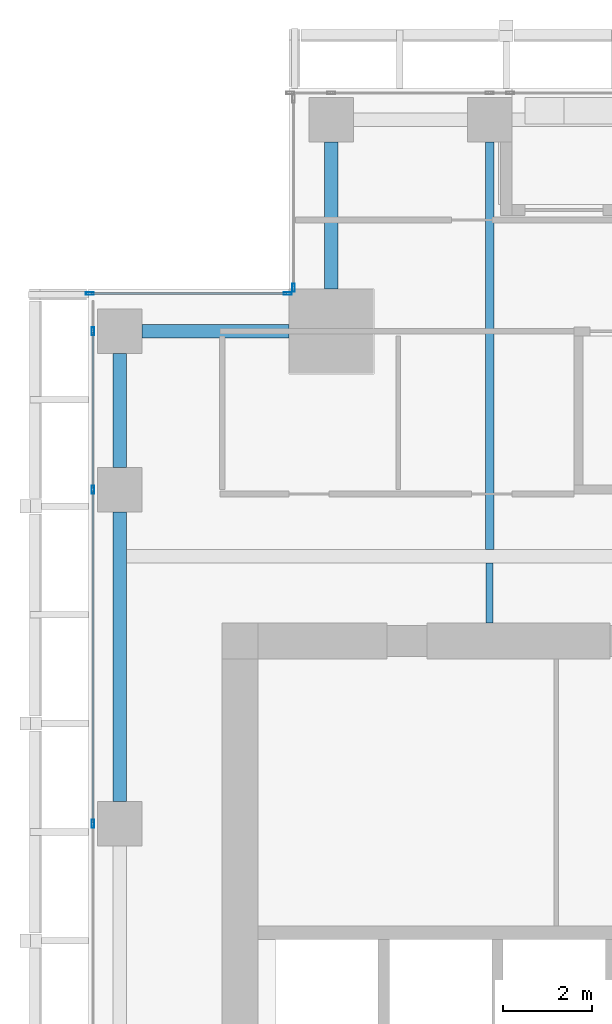
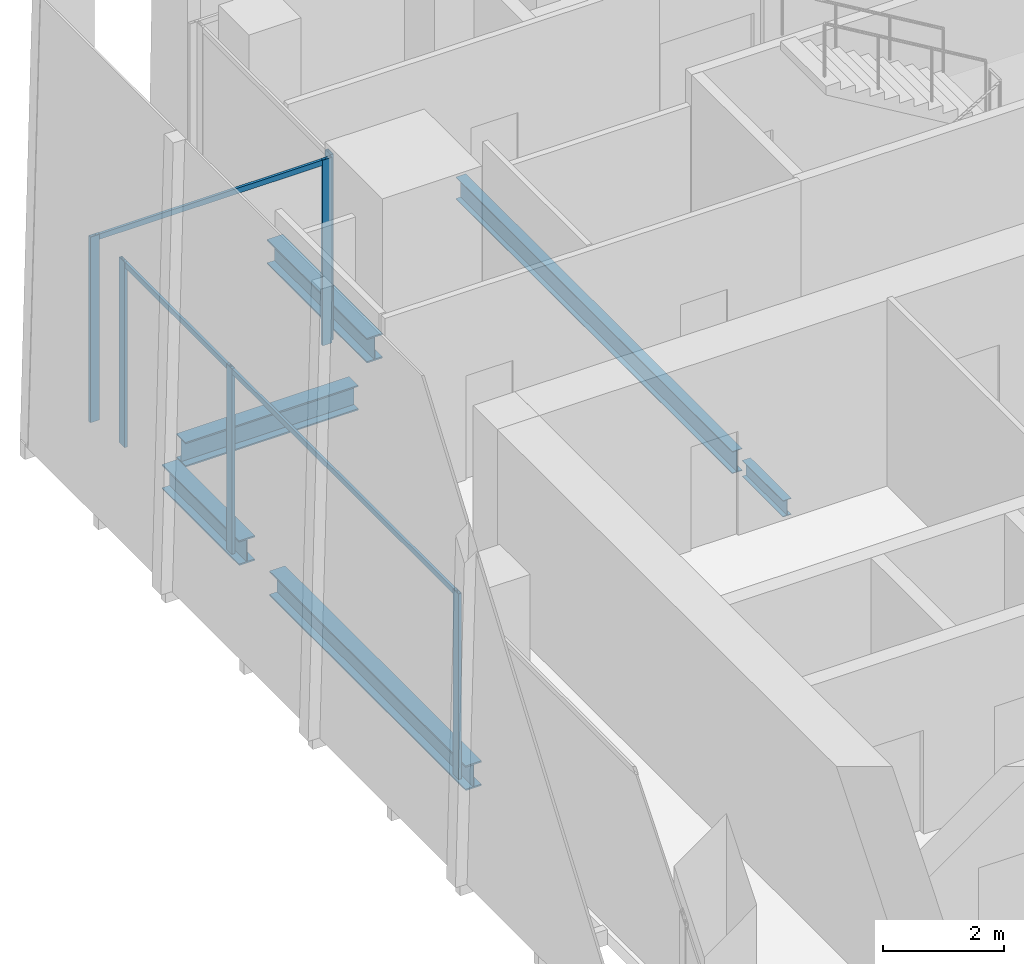
# One storey, part 14 of 35: 9 members, 6 beams, 3 elements without a shape of their own.
"""IFC4 building model written with IfcOpenShell, lengths in metres."""

from ifc_helpers import new_model, si_unit, direction, frame, origin, origin_2d, place, context, subcontext, project, spatial, hollow_rectangle, i_section, extrude, source, transform, mapped, material, material_profile, profile_set, type_object, element, aggregate, save


model = new_model("IFC4")

# Units and contexts
model_context = context("Model", 3, precision=1e-05, world=origin(), true_north=direction((0.0, 1.0)))
body_context = subcontext(model_context, "Body", "Model", "MODEL_VIEW")
ifc_project = project(units=[si_unit("LENGTHUNIT", "METRE"), si_unit("AREAUNIT", "SQUARE_METRE"), si_unit("VOLUMEUNIT", "CUBIC_METRE"), si_unit("PLANEANGLEUNIT", "RADIAN"), si_unit("MASSUNIT", "GRAM", prefix="KILO")], contexts=[model_context])

# Site, building, storey
site_placement = place(None, origin())
site = spatial("IfcSite", under=ifc_project, at=site_placement, CompositionType="ELEMENT")
building_placement = place(site_placement, origin())
building = spatial("IfcBuilding", under=site, at=building_placement, Name="Khomas Fold Tower", CompositionType="ELEMENT")
storey_placement = place(building_placement, frame((0.0, 0.0, 212.699951171875)))
storey = spatial("IfcBuildingStorey", under=building, at=storey_placement, Name="L47", CompositionType="ELEMENT", Elevation=212.699951171875)

# Beams
ifc_material_1 = material(Name="Steel S355", Category="steel")
ifc_material_profile_1 = material_profile(ifc_material_1, i_section(OverallWidth=0.300048828125, OverallDepth=0.5, WebThickness=0.014404296875, FlangeThickness=0.028076171875, at=origin_2d()), Name="HE 500 B")
ifc_profile_set_1 = profile_set([ifc_material_profile_1], Name="Steel S355")
beam_type_1 = type_object("IfcBeamType", Name="HE 500 B spandrel SB3", PredefinedType="SPANDREL", material=ifc_profile_set_1)
shared_shape_1 = source(origin(), body_context, "Body", "SweptSolid", [
    extrude(i_section(OverallWidth=0.300048828125, OverallDepth=0.5, WebThickness=0.014404296875, FlangeThickness=0.028076171875, at=origin_2d()), origin(), (0.0, 0.0, 1.0), 2.550048828125),
])
beam_1_placement = place(storey_placement, frame((3.699951171875, 42.5, -0.5), z_axis=(0.0, 1.0, 0.0), x_axis=(-1.0, 0.0, 0.0)))
element("IfcBeam", 1, at=beam_1_placement, inside=storey, type_object=beam_type_1, Name="SB3", PredefinedType="SPANDREL", context=body_context, shape_type="MappedRepresentation", body=[
    mapped(shared_shape_1, transform((0.0, 0.0, 0.0))),
])
shared_shape_2 = source(origin(), body_context, "Body", "SweptSolid", [
    extrude(i_section(OverallWidth=0.300048828125, OverallDepth=0.5, WebThickness=0.014404296875, FlangeThickness=0.028076171875, at=origin_2d()), origin(), (0.0, 0.0, 1.0), 6.5),
])
beam_2_placement = place(storey_placement, frame((3.699951171875, 35.0, -0.5), z_axis=(0.0, 1.0, 0.0), x_axis=(-1.0, 0.0, 0.0)))
element("IfcBeam", 2, at=beam_2_placement, inside=storey, type_object=beam_type_1, Name="SB3", PredefinedType="SPANDREL", context=body_context, shape_type="MappedRepresentation", body=[
    mapped(shared_shape_2, transform((0.0, 0.0, 0.0))),
])
shared_shape_3 = source(origin(), body_context, "Body", "SweptSolid", [
    extrude(i_section(OverallWidth=0.300048828125, OverallDepth=0.5, WebThickness=0.014404296875, FlangeThickness=0.028076171875, at=origin_2d()), origin(), (0.0, 0.0, 1.0), 3.300048828125),
])
for number, where, z_axis, x_axis, name in (
    (3, (8.449951171875, 46.5, -0.5), (0.0, 1.0, 0.0), (-1.0, 0.0, 0.0), "SB3"),
    (4, (4.199951171875, 45.550048828125, -0.5), (1.0, 0.0, 0.0), (0.0, 1.0, 0.0), "SB3"),
):
    element("IfcBeam", number, at=place(storey_placement, frame(where, z_axis=z_axis, x_axis=x_axis)), inside=storey, type_object=beam_type_1, Name=name, PredefinedType="SPANDREL", context=body_context, shape_type="MappedRepresentation", body=[
        mapped(shared_shape_3, transform((0.0, 0.0, 0.0))),
    ])
ifc_material_2 = material(Name="Steel S355", Category="steel")
ifc_material_profile_2 = material_profile(ifc_material_2, i_section(OverallWidth=0.18994140625, OverallDepth=0.449951171875, WebThickness=0.009521484375, FlangeThickness=0.0146484375, at=origin_2d()), Name="IPE 450")
ifc_profile_set_2 = profile_set([ifc_material_profile_2], Name="Steel S355")
beam_type_2 = type_object("IfcBeamType", Name="IPE 450 beam JB4", PredefinedType="BEAM", material=ifc_profile_set_2)
shared_shape_4 = source(origin(), body_context, "Body", "SweptSolid", [
    extrude(i_section(OverallWidth=0.18994140625, OverallDepth=0.449951171875, WebThickness=0.009521484375, FlangeThickness=0.0146484375, at=origin_2d()), origin(), (0.0, 0.0, 1.0), 9.150146484375),
])
beam_3_placement = place(storey_placement, frame((12.0, 40.64990234375, -0.474853515625), z_axis=(0.0, 1.0, 0.0), x_axis=(-1.0, 0.0, 0.0)))
element("IfcBeam", 5, at=beam_3_placement, inside=storey, type_object=beam_type_2, Name="JB4", PredefinedType="BEAM", context=body_context, shape_type="MappedRepresentation", body=[
    mapped(shared_shape_4, transform((0.0, 0.0, 0.0))),
])
ifc_material_3 = material(Name="Steel S355", Category="steel")
ifc_material_profile_3 = material_profile(ifc_material_3, i_section(OverallWidth=0.159912109375, OverallDepth=0.330078125, WebThickness=0.007568359375, FlangeThickness=0.011474609375, at=origin_2d()), Name="IPE 330")
ifc_profile_set_3 = profile_set([ifc_material_profile_3], Name="Steel S355")
beam_type_3 = type_object("IfcBeamType", Name="IPE 330 beam JB1", PredefinedType="BEAM", material=ifc_profile_set_3)
shared_shape_5 = source(origin(), body_context, "Body", "SweptSolid", [
    extrude(i_section(OverallWidth=0.159912109375, OverallDepth=0.330078125, WebThickness=0.007568359375, FlangeThickness=0.011474609375, at=origin_2d()), origin(), (0.0, 0.0, 1.0), 1.35009765625),
])
beam_4_placement = place(storey_placement, frame((12.0, 39.0, -0.4150390625), z_axis=(0.0, 1.0, 0.0), x_axis=(-1.0, 0.0, 0.0)))
element("IfcBeam", 6, at=beam_4_placement, inside=storey, type_object=beam_type_3, Name="JB1", PredefinedType="BEAM", context=body_context, shape_type="MappedRepresentation", body=[
    mapped(shared_shape_5, transform((0.0, 0.0, 0.0))),
])

# Curtain wall, member
ifc_material_4 = material(Name="Aluminium framed double glazing", Category="aluminium")
curtain_wall_type = type_object("IfcCurtainWallType", Name="SK-Unitised clear-glass wall, office floors CW2", PredefinedType="NOTDEFINED", material=ifc_material_4)
curtain_wall_1_placement = place(storey_placement, origin())
curtain_wall_1 = element("IfcCurtainWall", 7, at=curtain_wall_1_placement, inside=storey, type_object=curtain_wall_type, Name="CW2 corner return L47 07", PredefinedType="NOTDEFINED")
ifc_material_5 = material(Name="Aluminium", Category="aluminium")
ifc_material_profile_4 = material_profile(ifc_material_5, hollow_rectangle(XDim=0.06005859375, YDim=0.179931640625, WallThickness=0.00390625, at=origin_2d()), Name="SK-Unitised clear-glass wall, office floors mullion CW2-M")
ifc_profile_set_4 = profile_set([ifc_material_profile_4], Name="Aluminium")
member_type_1 = type_object("IfcMemberType", Name="SK-Unitised clear-glass wall, office floors mullion CW2-M", PredefinedType="MULLION", material=ifc_profile_set_4)
shared_shape_6 = source(origin(), body_context, "Body", "SweptSolid", [
    extrude(hollow_rectangle(XDim=0.06005859375, YDim=0.179931640625, WallThickness=0.00390625, at=origin_2d()), origin(), (0.0, 0.0, 1.0), 3.75),
])
member_1_placement = place(storey_placement, frame((7.60009765625, 46.530029296875, 0.0), z_axis=(0.0, 0.0, 1.0), x_axis=(1.0, 0.0, 0.0)))
member_1 = element("IfcMember", 8, at=member_1_placement, type_object=member_type_1, Name="CW2 mullion 2", PredefinedType="MULLION", context=body_context, shape_type="MappedRepresentation", body=[
    mapped(shared_shape_6, transform((0.0, 0.0, 0.0))),
])
aggregate(curtain_wall_1, [member_1])

# Curtain wall, members
curtain_wall_2_placement = place(storey_placement, origin())
curtain_wall_2 = element("IfcCurtainWall", 9, at=curtain_wall_2_placement, inside=storey, type_object=curtain_wall_type, Name="CW2 corner return L47 08", PredefinedType="NOTDEFINED")
member_2_placement = place(storey_placement, frame((7.469970703125, 46.39990234375, 0.0), z_axis=(0.0, 0.0, 1.0), x_axis=(0.0, -1.0, 0.0)))
member_2 = element("IfcMember", 10, at=member_2_placement, type_object=member_type_1, Name="CW2 mullion 1", PredefinedType="MULLION", context=body_context, shape_type="MappedRepresentation", body=[
    mapped(shared_shape_6, transform((0.0, 0.0, 0.0))),
])
member_3_placement = place(storey_placement, frame((3.030029296875, 46.39990234375, 0.0), z_axis=(0.0, 0.0, 1.0), x_axis=(0.0, -1.0, 0.0)))
member_3 = element("IfcMember", 11, at=member_3_placement, type_object=member_type_1, Name="CW2 mullion 2", PredefinedType="MULLION", context=body_context, shape_type="MappedRepresentation", body=[
    mapped(shared_shape_6, transform((0.0, 0.0, 0.0))),
])

curtain_wall_3_placement = place(storey_placement, origin())
curtain_wall_3 = element("IfcCurtainWall", 12, at=curtain_wall_3_placement, inside=storey, type_object=curtain_wall_type, Name="CW2 run L47 09-0", PredefinedType="NOTDEFINED")
member_4_placement = place(storey_placement, frame((3.10009765625, 45.550048828125, 0.0), z_axis=(0.0, 0.0, 1.0), x_axis=(1.0, 0.0, 0.0)))
member_4 = element("IfcMember", 13, at=member_4_placement, type_object=member_type_1, Name="CW2 mullion 2", PredefinedType="MULLION", context=body_context, shape_type="MappedRepresentation", body=[
    mapped(shared_shape_6, transform((0.0, 0.0, 0.0))),
])
member_5_placement = place(storey_placement, frame((3.10009765625, 42.0, 0.0), z_axis=(0.0, 0.0, 1.0), x_axis=(1.0, 0.0, 0.0)))
member_5 = element("IfcMember", 14, at=member_5_placement, type_object=member_type_1, Name="CW2 mullion 3", PredefinedType="MULLION", context=body_context, shape_type="MappedRepresentation", body=[
    mapped(shared_shape_6, transform((0.0, 0.0, 0.0))),
])
member_6_placement = place(storey_placement, frame((3.10009765625, 34.5, 0.0), z_axis=(0.0, 0.0, 1.0), x_axis=(1.0, 0.0, 0.0)))
member_6 = element("IfcMember", 15, at=member_6_placement, type_object=member_type_1, Name="CW2 mullion 4", PredefinedType="MULLION", context=body_context, shape_type="MappedRepresentation", body=[
    mapped(shared_shape_6, transform((0.0, 0.0, 0.0))),
])

# Member
ifc_material_6 = material(Name="Aluminium", Category="aluminium")
ifc_material_profile_5 = material_profile(ifc_material_6, hollow_rectangle(XDim=0.050048828125, YDim=0.110107421875, WallThickness=0.00390625, at=origin_2d()), Name="SK-Unitised clear-glass wall, office floors transom CW2-T")
ifc_profile_set_5 = profile_set([ifc_material_profile_5], Name="Aluminium")
member_type_2 = type_object("IfcMemberType", Name="SK-Unitised clear-glass wall, office floors transom CW2-T", PredefinedType="USERDEFINED", material=ifc_profile_set_5)
shared_shape_7 = source(origin(), body_context, "Body", "SweptSolid", [
    extrude(hollow_rectangle(XDim=0.050048828125, YDim=0.110107421875, WallThickness=0.00390625, at=origin_2d()), origin(), (0.0, 0.0, 1.0), 4.3798828125),
])
member_7_placement = place(storey_placement, frame((7.43994140625, 46.39990234375, 3.695068359375), z_axis=(-1.0, 0.0, 0.0), x_axis=(0.0, -1.0, 0.0)))
member_7 = element("IfcMember", 16, at=member_7_placement, type_object=member_type_2, Name="CW2 transom 1", ObjectType="TRANSOM", PredefinedType="USERDEFINED", context=body_context, shape_type="MappedRepresentation", body=[
    mapped(shared_shape_7, transform((0.0, 0.0, 0.0))),
])

aggregate(curtain_wall_2, [member_2, member_3, member_7])

shared_shape_8 = source(origin(), body_context, "Body", "SweptSolid", [
    extrude(hollow_rectangle(XDim=0.050048828125, YDim=0.110107421875, WallThickness=0.00390625, at=origin_2d()), origin(), (0.0, 0.0, 1.0), 3.489990234375),
])
member_8_placement = place(storey_placement, frame((3.10009765625, 45.52001953125, 3.695068359375), z_axis=(0.0, -1.0, 0.0), x_axis=(1.0, 0.0, 0.0)))
member_8 = element("IfcMember", 17, at=member_8_placement, type_object=member_type_2, Name="CW2 transom 2", ObjectType="TRANSOM", PredefinedType="USERDEFINED", context=body_context, shape_type="MappedRepresentation", body=[
    mapped(shared_shape_8, transform((0.0, 0.0, 0.0))),
])

shared_shape_9 = source(origin(), body_context, "Body", "SweptSolid", [
    extrude(hollow_rectangle(XDim=0.050048828125, YDim=0.110107421875, WallThickness=0.00390625, at=origin_2d()), origin(), (0.0, 0.0, 1.0), 7.43994140625),
])
member_9_placement = place(storey_placement, frame((3.10009765625, 41.969970703125, 3.695068359375), z_axis=(0.0, -1.0, 0.0), x_axis=(1.0, 0.0, 0.0)))
member_9 = element("IfcMember", 18, at=member_9_placement, type_object=member_type_2, Name="CW2 transom 3", ObjectType="TRANSOM", PredefinedType="USERDEFINED", context=body_context, shape_type="MappedRepresentation", body=[
    mapped(shared_shape_9, transform((0.0, 0.0, 0.0))),
])

aggregate(curtain_wall_3, [member_4, member_5, member_6, member_8, member_9])

save(model, "model.ifc")
